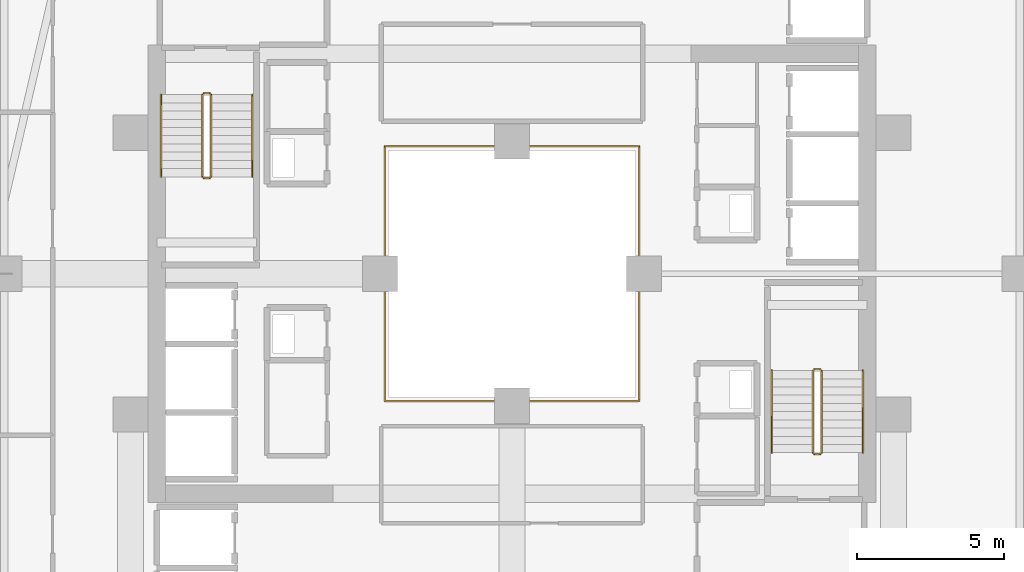
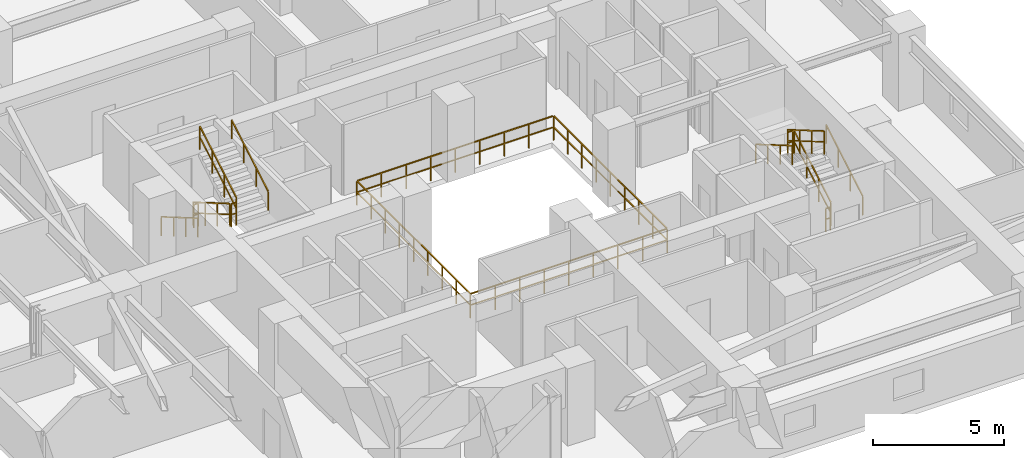
# One storey, part 35 of 36: 13 railings.
"""IFC4 building model written with IfcOpenShell, lengths in metres."""

from ifc_helpers import new_model, si_unit, direction, frame, origin, origin_2d, place, context, subcontext, project, spatial, rectangle, extrude, material, type_object, element, save


model = new_model("IFC4")

# Units and contexts
model_context = context("Model", 3, precision=1e-05, world=origin(), true_north=direction((0.0, 1.0)))
body_context = subcontext(model_context, "Body", "Model", "MODEL_VIEW")
ifc_project = project(units=[si_unit("LENGTHUNIT", "METRE"), si_unit("AREAUNIT", "SQUARE_METRE"), si_unit("VOLUMEUNIT", "CUBIC_METRE"), si_unit("PLANEANGLEUNIT", "RADIAN"), si_unit("MASSUNIT", "GRAM", prefix="KILO")], contexts=[model_context])

# Site, building, storey
site_placement = place(None, origin())
site = spatial("IfcSite", under=ifc_project, at=site_placement, CompositionType="ELEMENT")
building_placement = place(site_placement, origin())
building = spatial("IfcBuilding", under=site, at=building_placement, Name="Thornwick Lancets Civic Towers", CompositionType="ELEMENT")
storey_placement = place(building_placement, frame((0.0, 0.0, 94.5)))
storey = spatial("IfcBuildingStorey", under=building, at=storey_placement, Name="L24", CompositionType="ELEMENT", Elevation=94.5)

# Railings
ifc_material_1 = material(Name="Laminated glass and bronze steel S355", Category="steel")
railing_type_1 = type_object("IfcRailingType", Name="RAIL_ATRIUM_GUARD", PredefinedType="BALUSTRADE", material=ifc_material_1)
railing_1_placement = place(storey_placement, frame((84.159912109375, 22.659912109375, 0.0)))
element("IfcRailing", 1, at=railing_1_placement, inside=storey, type_object=railing_type_1, Name="L24 Tower B Central Atrium Guard Balustrade", PredefinedType="BALUSTRADE", context=body_context, shape_type="SweptSolid", body=[
    extrude(rectangle(XDim=0.048095703125, YDim=0.048095703125, at=origin_2d()), frame((0.0, 0.0, 1.1259765625), z_axis=(1.0, 0.0, 0.0), x_axis=(0.0, 1.0, 0.0)), (0.0, 0.0, 1.0), 8.64892578125),
    extrude(rectangle(XDim=0.0419921875, YDim=0.0419921875, at=origin_2d()), frame((0.03759765625, 0.0, 0.597900390625), z_axis=(1.0, 0.0, 0.0), x_axis=(0.0, 1.0, 0.0)), (0.0, 0.0, 1.0), 1.010009765625),
    extrude(rectangle(XDim=0.0419921875, YDim=0.0419921875, at=origin_2d()), frame((1.12255859375, 0.0, 0.597900390625), z_axis=(1.0, 0.0, 0.0), x_axis=(0.0, 1.0, 0.0)), (0.0, 0.0, 1.0), 1.010009765625),
    extrude(rectangle(XDim=0.0419921875, YDim=0.0419921875, at=origin_2d()), frame((2.20751953125, 0.0, 0.597900390625), z_axis=(1.0, 0.0, 0.0), x_axis=(0.0, 1.0, 0.0)), (0.0, 0.0, 1.0), 1.010009765625),
    extrude(rectangle(XDim=0.0419921875, YDim=0.0419921875, at=origin_2d()), frame((3.29248046875, 0.0, 0.597900390625), z_axis=(1.0, 0.0, 0.0), x_axis=(0.0, 1.0, 0.0)), (0.0, 0.0, 1.0), 1.010009765625),
    extrude(rectangle(XDim=0.0419921875, YDim=0.0419921875, at=origin_2d()), frame((4.377685546875, 0.0, 0.597900390625), z_axis=(1.0, 0.0, 0.0), x_axis=(0.0, 1.0, 0.0)), (0.0, 0.0, 1.0), 1.010009765625),
    extrude(rectangle(XDim=0.0419921875, YDim=0.0419921875, at=origin_2d()), frame((5.462646484375, 0.0, 0.597900390625), z_axis=(1.0, 0.0, 0.0), x_axis=(0.0, 1.0, 0.0)), (0.0, 0.0, 1.0), 1.010009765625),
    extrude(rectangle(XDim=0.0419921875, YDim=0.0419921875, at=origin_2d()), frame((6.547607421875, 0.0, 0.597900390625), z_axis=(1.0, 0.0, 0.0), x_axis=(0.0, 1.0, 0.0)), (0.0, 0.0, 1.0), 1.010009765625),
    extrude(rectangle(XDim=0.0419921875, YDim=0.0419921875, at=origin_2d()), frame((7.632568359375, 0.0, 0.597900390625), z_axis=(1.0, 0.0, 0.0), x_axis=(0.0, 1.0, 0.0)), (0.0, 0.0, 1.0), 1.010009765625),
    extrude(rectangle(XDim=0.048095703125, YDim=0.048095703125, at=origin_2d()), frame((8.68017578125, 0.03125, 1.1259765625), z_axis=(0.0, 1.0, 0.0), x_axis=(-1.0, 0.0, 0.0)), (0.0, 0.0, 1.0), 8.61767578125),
    extrude(rectangle(XDim=0.0419921875, YDim=0.0419921875, at=origin_2d()), frame((8.68017578125, 0.03759765625, 0.597900390625), z_axis=(0.0, 1.0, 0.0), x_axis=(-1.0, 0.0, 0.0)), (0.0, 0.0, 1.0), 1.010009765625),
    extrude(rectangle(XDim=0.0419921875, YDim=0.0419921875, at=origin_2d()), frame((8.68017578125, 1.12255859375, 0.597900390625), z_axis=(0.0, 1.0, 0.0), x_axis=(-1.0, 0.0, 0.0)), (0.0, 0.0, 1.0), 1.010009765625),
    extrude(rectangle(XDim=0.0419921875, YDim=0.0419921875, at=origin_2d()), frame((8.68017578125, 2.20751953125, 0.597900390625), z_axis=(0.0, 1.0, 0.0), x_axis=(-1.0, 0.0, 0.0)), (0.0, 0.0, 1.0), 1.010009765625),
    extrude(rectangle(XDim=0.0419921875, YDim=0.0419921875, at=origin_2d()), frame((8.68017578125, 3.29248046875, 0.597900390625), z_axis=(0.0, 1.0, 0.0), x_axis=(-1.0, 0.0, 0.0)), (0.0, 0.0, 1.0), 1.010009765625),
    extrude(rectangle(XDim=0.0419921875, YDim=0.0419921875, at=origin_2d()), frame((8.68017578125, 4.377685546875, 0.597900390625), z_axis=(0.0, 1.0, 0.0), x_axis=(-1.0, 0.0, 0.0)), (0.0, 0.0, 1.0), 1.010009765625),
    extrude(rectangle(XDim=0.0419921875, YDim=0.0419921875, at=origin_2d()), frame((8.68017578125, 5.462646484375, 0.597900390625), z_axis=(0.0, 1.0, 0.0), x_axis=(-1.0, 0.0, 0.0)), (0.0, 0.0, 1.0), 1.010009765625),
    extrude(rectangle(XDim=0.0419921875, YDim=0.0419921875, at=origin_2d()), frame((8.68017578125, 6.547607421875, 0.597900390625), z_axis=(0.0, 1.0, 0.0), x_axis=(-1.0, 0.0, 0.0)), (0.0, 0.0, 1.0), 1.010009765625),
    extrude(rectangle(XDim=0.0419921875, YDim=0.0419921875, at=origin_2d()), frame((8.68017578125, 7.632568359375, 0.597900390625), z_axis=(0.0, 1.0, 0.0), x_axis=(-1.0, 0.0, 0.0)), (0.0, 0.0, 1.0), 1.010009765625),
    extrude(rectangle(XDim=0.048095703125, YDim=0.048095703125, at=origin_2d()), frame((8.64892578125, 8.68017578125, 1.1259765625), z_axis=(-1.0, 0.0, 0.0), x_axis=(0.0, -1.0, 0.0)), (0.0, 0.0, 1.0), 8.61767578125),
    extrude(rectangle(XDim=0.0419921875, YDim=0.0419921875, at=origin_2d()), frame((8.642578125, 8.68017578125, 0.597900390625), z_axis=(-1.0, 0.0, 0.0), x_axis=(0.0, -1.0, 0.0)), (0.0, 0.0, 1.0), 1.010009765625),
    extrude(rectangle(XDim=0.0419921875, YDim=0.0419921875, at=origin_2d()), frame((7.5576171875, 8.68017578125, 0.597900390625), z_axis=(-1.0, 0.0, 0.0), x_axis=(0.0, -1.0, 0.0)), (0.0, 0.0, 1.0), 1.010009765625),
    extrude(rectangle(XDim=0.0419921875, YDim=0.0419921875, at=origin_2d()), frame((6.47265625, 8.68017578125, 0.597900390625), z_axis=(-1.0, 0.0, 0.0), x_axis=(0.0, -1.0, 0.0)), (0.0, 0.0, 1.0), 1.010009765625),
    extrude(rectangle(XDim=0.0419921875, YDim=0.0419921875, at=origin_2d()), frame((5.3876953125, 8.68017578125, 0.597900390625), z_axis=(-1.0, 0.0, 0.0), x_axis=(0.0, -1.0, 0.0)), (0.0, 0.0, 1.0), 1.010009765625),
    extrude(rectangle(XDim=0.0419921875, YDim=0.0419921875, at=origin_2d()), frame((4.302490234375, 8.68017578125, 0.597900390625), z_axis=(-1.0, 0.0, 0.0), x_axis=(0.0, -1.0, 0.0)), (0.0, 0.0, 1.0), 1.010009765625),
    extrude(rectangle(XDim=0.0419921875, YDim=0.0419921875, at=origin_2d()), frame((3.217529296875, 8.68017578125, 0.597900390625), z_axis=(-1.0, 0.0, 0.0), x_axis=(0.0, -1.0, 0.0)), (0.0, 0.0, 1.0), 1.010009765625),
    extrude(rectangle(XDim=0.0419921875, YDim=0.0419921875, at=origin_2d()), frame((2.132568359375, 8.68017578125, 0.597900390625), z_axis=(-1.0, 0.0, 0.0), x_axis=(0.0, -1.0, 0.0)), (0.0, 0.0, 1.0), 1.010009765625),
    extrude(rectangle(XDim=0.0419921875, YDim=0.0419921875, at=origin_2d()), frame((1.047607421875, 8.68017578125, 0.597900390625), z_axis=(-1.0, 0.0, 0.0), x_axis=(0.0, -1.0, 0.0)), (0.0, 0.0, 1.0), 1.010009765625),
    extrude(rectangle(XDim=0.048095703125, YDim=0.048095703125, at=origin_2d()), frame((0.0, 8.64892578125, 1.1259765625), z_axis=(0.0, -1.0, 0.0), x_axis=(1.0, 0.0, 0.0)), (0.0, 0.0, 1.0), 8.64892578125),
    extrude(rectangle(XDim=0.0419921875, YDim=0.0419921875, at=origin_2d()), frame((0.0, 8.642578125, 0.597900390625), z_axis=(0.0, -1.0, 0.0), x_axis=(1.0, 0.0, 0.0)), (0.0, 0.0, 1.0), 1.010009765625),
    extrude(rectangle(XDim=0.0419921875, YDim=0.0419921875, at=origin_2d()), frame((0.0, 7.5576171875, 0.597900390625), z_axis=(0.0, -1.0, 0.0), x_axis=(1.0, 0.0, 0.0)), (0.0, 0.0, 1.0), 1.010009765625),
    extrude(rectangle(XDim=0.0419921875, YDim=0.0419921875, at=origin_2d()), frame((0.0, 6.47265625, 0.597900390625), z_axis=(0.0, -1.0, 0.0), x_axis=(1.0, 0.0, 0.0)), (0.0, 0.0, 1.0), 1.010009765625),
    extrude(rectangle(XDim=0.0419921875, YDim=0.0419921875, at=origin_2d()), frame((0.0, 5.3876953125, 0.597900390625), z_axis=(0.0, -1.0, 0.0), x_axis=(1.0, 0.0, 0.0)), (0.0, 0.0, 1.0), 1.010009765625),
    extrude(rectangle(XDim=0.0419921875, YDim=0.0419921875, at=origin_2d()), frame((0.0, 4.302490234375, 0.597900390625), z_axis=(0.0, -1.0, 0.0), x_axis=(1.0, 0.0, 0.0)), (0.0, 0.0, 1.0), 1.010009765625),
    extrude(rectangle(XDim=0.0419921875, YDim=0.0419921875, at=origin_2d()), frame((0.0, 3.217529296875, 0.597900390625), z_axis=(0.0, -1.0, 0.0), x_axis=(1.0, 0.0, 0.0)), (0.0, 0.0, 1.0), 1.010009765625),
    extrude(rectangle(XDim=0.0419921875, YDim=0.0419921875, at=origin_2d()), frame((0.0, 2.132568359375, 0.597900390625), z_axis=(0.0, -1.0, 0.0), x_axis=(1.0, 0.0, 0.0)), (0.0, 0.0, 1.0), 1.010009765625),
    extrude(rectangle(XDim=0.0419921875, YDim=0.0419921875, at=origin_2d()), frame((0.0, 1.047607421875, 0.597900390625), z_axis=(0.0, -1.0, 0.0), x_axis=(1.0, 0.0, 0.0)), (0.0, 0.0, 1.0), 1.010009765625),
    extrude(rectangle(XDim=0.0419921875, YDim=0.0419921875, at=origin_2d()), origin(), (0.0, 0.0, 1.0), 1.095703125),
    extrude(rectangle(XDim=0.0419921875, YDim=0.0419921875, at=origin_2d()), frame((1.0849609375, 0.0, 0.0)), (0.0, 0.0, 1.0), 1.095703125),
    extrude(rectangle(XDim=0.0419921875, YDim=0.0419921875, at=origin_2d()), frame((2.169921875, 0.0, 0.0)), (0.0, 0.0, 1.0), 1.095703125),
    extrude(rectangle(XDim=0.0419921875, YDim=0.0419921875, at=origin_2d()), frame((3.255126953125, 0.0, 0.0)), (0.0, 0.0, 1.0), 1.095703125),
    extrude(rectangle(XDim=0.0419921875, YDim=0.0419921875, at=origin_2d()), frame((4.340087890625, 0.0, 0.0)), (0.0, 0.0, 1.0), 1.095703125),
    extrude(rectangle(XDim=0.0419921875, YDim=0.0419921875, at=origin_2d()), frame((5.425048828125, 0.0, 0.0)), (0.0, 0.0, 1.0), 1.095703125),
    extrude(rectangle(XDim=0.0419921875, YDim=0.0419921875, at=origin_2d()), frame((6.51025390625, 0.0, 0.0)), (0.0, 0.0, 1.0), 1.095703125),
    extrude(rectangle(XDim=0.0419921875, YDim=0.0419921875, at=origin_2d()), frame((7.59521484375, 0.0, 0.0)), (0.0, 0.0, 1.0), 1.095703125),
    extrude(rectangle(XDim=0.0419921875, YDim=0.0419921875, at=origin_2d()), frame((8.68017578125, 0.0, 0.0)), (0.0, 0.0, 1.0), 1.095703125),
    extrude(rectangle(XDim=0.0419921875, YDim=0.0419921875, at=origin_2d()), frame((8.68017578125, 1.0849609375, 0.0)), (0.0, 0.0, 1.0), 1.095703125),
    extrude(rectangle(XDim=0.0419921875, YDim=0.0419921875, at=origin_2d()), frame((8.68017578125, 2.169921875, 0.0)), (0.0, 0.0, 1.0), 1.095703125),
    extrude(rectangle(XDim=0.0419921875, YDim=0.0419921875, at=origin_2d()), frame((8.68017578125, 3.255126953125, 0.0)), (0.0, 0.0, 1.0), 1.095703125),
    extrude(rectangle(XDim=0.0419921875, YDim=0.0419921875, at=origin_2d()), frame((8.68017578125, 4.340087890625, 0.0)), (0.0, 0.0, 1.0), 1.095703125),
    extrude(rectangle(XDim=0.0419921875, YDim=0.0419921875, at=origin_2d()), frame((8.68017578125, 5.425048828125, 0.0)), (0.0, 0.0, 1.0), 1.095703125),
    extrude(rectangle(XDim=0.0419921875, YDim=0.0419921875, at=origin_2d()), frame((8.68017578125, 6.51025390625, 0.0)), (0.0, 0.0, 1.0), 1.095703125),
    extrude(rectangle(XDim=0.0419921875, YDim=0.0419921875, at=origin_2d()), frame((8.68017578125, 7.59521484375, 0.0)), (0.0, 0.0, 1.0), 1.095703125),
    extrude(rectangle(XDim=0.0419921875, YDim=0.0419921875, at=origin_2d()), frame((8.68017578125, 8.68017578125, 0.0)), (0.0, 0.0, 1.0), 1.095703125),
    extrude(rectangle(XDim=0.0419921875, YDim=0.0419921875, at=origin_2d()), frame((7.59521484375, 8.68017578125, 0.0)), (0.0, 0.0, 1.0), 1.095703125),
    extrude(rectangle(XDim=0.0419921875, YDim=0.0419921875, at=origin_2d()), frame((6.51025390625, 8.68017578125, 0.0)), (0.0, 0.0, 1.0), 1.095703125),
    extrude(rectangle(XDim=0.0419921875, YDim=0.0419921875, at=origin_2d()), frame((5.425048828125, 8.68017578125, 0.0)), (0.0, 0.0, 1.0), 1.095703125),
    extrude(rectangle(XDim=0.0419921875, YDim=0.0419921875, at=origin_2d()), frame((4.340087890625, 8.68017578125, 0.0)), (0.0, 0.0, 1.0), 1.095703125),
    extrude(rectangle(XDim=0.0419921875, YDim=0.0419921875, at=origin_2d()), frame((3.255126953125, 8.68017578125, 0.0)), (0.0, 0.0, 1.0), 1.095703125),
    extrude(rectangle(XDim=0.0419921875, YDim=0.0419921875, at=origin_2d()), frame((2.169921875, 8.68017578125, 0.0)), (0.0, 0.0, 1.0), 1.095703125),
    extrude(rectangle(XDim=0.0419921875, YDim=0.0419921875, at=origin_2d()), frame((1.0849609375, 8.68017578125, 0.0)), (0.0, 0.0, 1.0), 1.095703125),
    extrude(rectangle(XDim=0.0419921875, YDim=0.0419921875, at=origin_2d()), frame((0.0, 8.68017578125, 0.0)), (0.0, 0.0, 1.0), 1.095703125),
    extrude(rectangle(XDim=0.0419921875, YDim=0.0419921875, at=origin_2d()), frame((0.0, 7.59521484375, 0.0)), (0.0, 0.0, 1.0), 1.095703125),
    extrude(rectangle(XDim=0.0419921875, YDim=0.0419921875, at=origin_2d()), frame((0.0, 6.51025390625, 0.0)), (0.0, 0.0, 1.0), 1.095703125),
    extrude(rectangle(XDim=0.0419921875, YDim=0.0419921875, at=origin_2d()), frame((0.0, 5.425048828125, 0.0)), (0.0, 0.0, 1.0), 1.095703125),
    extrude(rectangle(XDim=0.0419921875, YDim=0.0419921875, at=origin_2d()), frame((0.0, 4.340087890625, 0.0)), (0.0, 0.0, 1.0), 1.095703125),
    extrude(rectangle(XDim=0.0419921875, YDim=0.0419921875, at=origin_2d()), frame((0.0, 3.255126953125, 0.0)), (0.0, 0.0, 1.0), 1.095703125),
    extrude(rectangle(XDim=0.0419921875, YDim=0.0419921875, at=origin_2d()), frame((0.0, 2.169921875, 0.0)), (0.0, 0.0, 1.0), 1.095703125),
    extrude(rectangle(XDim=0.0419921875, YDim=0.0419921875, at=origin_2d()), frame((0.0, 1.0849609375, 0.0)), (0.0, 0.0, 1.0), 1.095703125),
])
ifc_material_2 = material(Name="Brushed stainless steel S355", Category="steel")
railing_type_2 = type_object("IfcRailingType", Name="RAIL_HANDRAIL", PredefinedType="HANDRAIL", material=ifc_material_2)
railing_2_placement = place(storey_placement, frame((100.449951171875, 20.89990234375, 0.16357421875)))
element("IfcRailing", 2, at=railing_2_placement, inside=storey, type_object=railing_type_2, Name="L24 ST-B1 stair handrail 1", PredefinedType="HANDRAIL", context=body_context, shape_type="SweptSolid", body=[
    extrude(rectangle(XDim=0.048095703125, YDim=0.048095703125, at=origin_2d()), frame((0.0, 0.0, 0.8857421875), z_axis=(0.0, 0.863360870873, 0.504586966384), x_axis=(-1.0, 0.0, 0.0)), (0.0, 0.0, 1.0), 3.2431640625),
    extrude(rectangle(XDim=0.0419921875, YDim=0.0419921875, at=origin_2d()), origin(), (0.0, 0.0, 1.0), 0.855712890625),
    extrude(rectangle(XDim=0.0419921875, YDim=0.0419921875, at=origin_2d()), frame((0.0, 0.933349609375, 0.54541015625)), (0.0, 0.0, 1.0), 0.855712890625),
    extrude(rectangle(XDim=0.0419921875, YDim=0.0419921875, at=origin_2d()), frame((0.0, 1.86669921875, 1.091064453125)), (0.0, 0.0, 1.0), 0.855712890625),
    extrude(rectangle(XDim=0.0419921875, YDim=0.0419921875, at=origin_2d()), frame((0.0, 2.800048828125, 1.636474609375)), (0.0, 0.0, 1.0), 0.855712890625),
])
for number, where, name in (
    (3, (97.35009765625, 23.699951171875, 1.963623046875), "L24 ST-B1 stair handrail 2"),
    (4, (76.550048828125, 33.10009765625, 0.16357421875), "L24 ST-B2 stair handrail 1"),
):
    element("IfcRailing", number, at=place(storey_placement, frame(where)), inside=storey, type_object=railing_type_2, Name=name, PredefinedType="HANDRAIL", context=body_context, shape_type="SweptSolid", body=[
        extrude(rectangle(XDim=0.048095703125, YDim=0.048095703125, at=origin_2d()), frame((0.0, 0.0, 0.8857421875), z_axis=(0.0, -0.863360870873, 0.504586966384), x_axis=(1.0, 0.0, 0.0)), (0.0, 0.0, 1.0), 3.2431640625),
        extrude(rectangle(XDim=0.0419921875, YDim=0.0419921875, at=origin_2d()), origin(), (0.0, 0.0, 1.0), 0.855712890625),
        extrude(rectangle(XDim=0.0419921875, YDim=0.0419921875, at=origin_2d()), frame((0.0, -0.933349609375, 0.54541015625)), (0.0, 0.0, 1.0), 0.855712890625),
        extrude(rectangle(XDim=0.0419921875, YDim=0.0419921875, at=origin_2d()), frame((0.0, -1.86669921875, 1.091064453125)), (0.0, 0.0, 1.0), 0.855712890625),
        extrude(rectangle(XDim=0.0419921875, YDim=0.0419921875, at=origin_2d()), frame((0.0, -2.800048828125, 1.636474609375)), (0.0, 0.0, 1.0), 0.855712890625),
    ])
railing_3_placement = place(storey_placement, frame((79.64990234375, 30.300048828125, 1.963623046875)))
element("IfcRailing", 5, at=railing_3_placement, inside=storey, type_object=railing_type_2, Name="L24 ST-B2 stair handrail 2", PredefinedType="HANDRAIL", context=body_context, shape_type="SweptSolid", body=[
    extrude(rectangle(XDim=0.048095703125, YDim=0.048095703125, at=origin_2d()), frame((0.0, 0.0, 0.8857421875), z_axis=(0.0, 0.863360870873, 0.504586966384), x_axis=(-1.0, 0.0, 0.0)), (0.0, 0.0, 1.0), 3.2431640625),
    extrude(rectangle(XDim=0.0419921875, YDim=0.0419921875, at=origin_2d()), origin(), (0.0, 0.0, 1.0), 0.855712890625),
    extrude(rectangle(XDim=0.0419921875, YDim=0.0419921875, at=origin_2d()), frame((0.0, 0.933349609375, 0.54541015625)), (0.0, 0.0, 1.0), 0.855712890625),
    extrude(rectangle(XDim=0.0419921875, YDim=0.0419921875, at=origin_2d()), frame((0.0, 1.86669921875, 1.091064453125)), (0.0, 0.0, 1.0), 0.855712890625),
    extrude(rectangle(XDim=0.0419921875, YDim=0.0419921875, at=origin_2d()), frame((0.0, 2.800048828125, 1.636474609375)), (0.0, 0.0, 1.0), 0.855712890625),
])
ifc_material_3 = material(Name="Steel S355JR", Category="steel")
railing_type_3 = type_object("IfcRailingType", Name="RAIL_STAIR_GUARD", PredefinedType="GUARDRAIL", material=ifc_material_3)
railing_4_placement = place(storey_placement, frame((99.050048828125, 20.89990234375, 0.16357421875)))
element("IfcRailing", 6, at=railing_4_placement, inside=storey, type_object=railing_type_3, Name="L24 ST-B1 stair guard 1", PredefinedType="GUARDRAIL", context=body_context, shape_type="SweptSolid", body=[
    extrude(rectangle(XDim=0.048095703125, YDim=0.048095703125, at=origin_2d()), frame((0.0, 0.0, 1.076171875), z_axis=(0.0, 0.863360870873, 0.504586966384), x_axis=(-1.0, 0.0, 0.0)), (0.0, 0.0, 1.0), 3.2431640625),
    extrude(rectangle(XDim=0.0419921875, YDim=0.0419921875, at=origin_2d()), frame((0.0, 0.032470703125, 0.591064453125), z_axis=(0.0, 0.863360870873, 0.504586966384), x_axis=(-1.0, 0.0, 0.0)), (0.0, 0.0, 1.0), 1.006103515625),
    extrude(rectangle(XDim=0.0419921875, YDim=0.0419921875, at=origin_2d()), frame((0.0, 0.9658203125, 1.136474609375), z_axis=(0.0, 0.863360870873, 0.504586966384), x_axis=(-1.0, 0.0, 0.0)), (0.0, 0.0, 1.0), 1.006103515625),
    extrude(rectangle(XDim=0.0419921875, YDim=0.0419921875, at=origin_2d()), frame((0.0, 1.899169921875, 1.681884765625), z_axis=(0.0, 0.863360870873, 0.504586966384), x_axis=(-1.0, 0.0, 0.0)), (0.0, 0.0, 1.0), 1.006103515625),
    extrude(rectangle(XDim=0.0419921875, YDim=0.0419921875, at=origin_2d()), origin(), (0.0, 0.0, 1.0), 1.0458984375),
    extrude(rectangle(XDim=0.0419921875, YDim=0.0419921875, at=origin_2d()), frame((0.0, 0.933349609375, 0.54541015625)), (0.0, 0.0, 1.0), 1.0458984375),
    extrude(rectangle(XDim=0.0419921875, YDim=0.0419921875, at=origin_2d()), frame((0.0, 1.86669921875, 1.091064453125)), (0.0, 0.0, 1.0), 1.0458984375),
    extrude(rectangle(XDim=0.0419921875, YDim=0.0419921875, at=origin_2d()), frame((0.0, 2.800048828125, 1.636474609375)), (0.0, 0.0, 1.0), 1.0458984375),
])
railing_5_placement = place(storey_placement, frame((99.0, 23.75, 1.800048828125)))
element("IfcRailing", 7, at=railing_5_placement, inside=storey, type_object=railing_type_3, Name="L24 ST-B1 stair guard 2", PredefinedType="GUARDRAIL", context=body_context, shape_type="SweptSolid", body=[
    extrude(rectangle(XDim=0.048095703125, YDim=0.048095703125, at=origin_2d()), frame((0.0, 0.0, 1.076171875), z_axis=(-1.0, 0.0, 0.0), x_axis=(0.0, -1.0, 0.0)), (0.0, 0.0, 1.0), 0.199951171875),
    extrude(rectangle(XDim=0.0419921875, YDim=0.0419921875, at=origin_2d()), frame((-0.03759765625, 0.0, 0.572021484375), z_axis=(-1.0, 0.0, 0.0), x_axis=(0.0, -1.0, 0.0)), (0.0, 0.0, 1.0), 0.125),
    extrude(rectangle(XDim=0.0419921875, YDim=0.0419921875, at=origin_2d()), origin(), (0.0, 0.0, 1.0), 1.0458984375),
    extrude(rectangle(XDim=0.0419921875, YDim=0.0419921875, at=origin_2d()), frame((-0.199951171875, 0.0, 0.0)), (0.0, 0.0, 1.0), 1.0458984375),
])
railing_6_placement = place(storey_placement, frame((98.75, 23.699951171875, 1.963623046875)))
element("IfcRailing", 8, at=railing_6_placement, inside=storey, type_object=railing_type_3, Name="L24 ST-B1 stair guard 3", PredefinedType="GUARDRAIL", context=body_context, shape_type="SweptSolid", body=[
    extrude(rectangle(XDim=0.048095703125, YDim=0.048095703125, at=origin_2d()), frame((0.0, 0.0, 1.076171875), z_axis=(0.0, -0.863360870873, 0.504586966384), x_axis=(1.0, 0.0, 0.0)), (0.0, 0.0, 1.0), 3.2431640625),
    extrude(rectangle(XDim=0.0419921875, YDim=0.0419921875, at=origin_2d()), frame((0.0, -0.032470703125, 0.591064453125), z_axis=(0.0, -0.863360870873, 0.504586966384), x_axis=(1.0, 0.0, 0.0)), (0.0, 0.0, 1.0), 1.006103515625),
    extrude(rectangle(XDim=0.0419921875, YDim=0.0419921875, at=origin_2d()), frame((0.0, -0.9658203125, 1.136474609375), z_axis=(0.0, -0.863360870873, 0.504586966384), x_axis=(1.0, 0.0, 0.0)), (0.0, 0.0, 1.0), 1.006103515625),
    extrude(rectangle(XDim=0.0419921875, YDim=0.0419921875, at=origin_2d()), frame((0.0, -1.899169921875, 1.681884765625), z_axis=(0.0, -0.863360870873, 0.504586966384), x_axis=(1.0, 0.0, 0.0)), (0.0, 0.0, 1.0), 1.006103515625),
    extrude(rectangle(XDim=0.0419921875, YDim=0.0419921875, at=origin_2d()), origin(), (0.0, 0.0, 1.0), 1.0458984375),
    extrude(rectangle(XDim=0.0419921875, YDim=0.0419921875, at=origin_2d()), frame((0.0, -0.933349609375, 0.54541015625)), (0.0, 0.0, 1.0), 1.0458984375),
    extrude(rectangle(XDim=0.0419921875, YDim=0.0419921875, at=origin_2d()), frame((0.0, -1.86669921875, 1.091064453125)), (0.0, 0.0, 1.0), 1.0458984375),
    extrude(rectangle(XDim=0.0419921875, YDim=0.0419921875, at=origin_2d()), frame((0.0, -2.800048828125, 1.636474609375)), (0.0, 0.0, 1.0), 1.0458984375),
])
railing_7_placement = place(storey_placement, frame((99.0, 20.85009765625, 0.0)))
element("IfcRailing", 9, at=railing_7_placement, inside=storey, type_object=railing_type_3, Name="L24 ST-B1 stair guard 4", PredefinedType="GUARDRAIL", context=body_context, shape_type="SweptSolid", body=[
    extrude(rectangle(XDim=0.048095703125, YDim=0.048095703125, at=origin_2d()), frame((0.0, 0.0, 1.076171875), z_axis=(-1.0, 0.0, 0.0), x_axis=(0.0, -1.0, 0.0)), (0.0, 0.0, 1.0), 0.199951171875),
    extrude(rectangle(XDim=0.0419921875, YDim=0.0419921875, at=origin_2d()), frame((-0.03759765625, 0.0, 0.572021484375), z_axis=(-1.0, 0.0, 0.0), x_axis=(0.0, -1.0, 0.0)), (0.0, 0.0, 1.0), 0.125),
    extrude(rectangle(XDim=0.0419921875, YDim=0.0419921875, at=origin_2d()), origin(), (0.0, 0.0, 1.0), 1.0458984375),
    extrude(rectangle(XDim=0.0419921875, YDim=0.0419921875, at=origin_2d()), frame((-0.199951171875, 0.0, 0.0)), (0.0, 0.0, 1.0), 1.0458984375),
])
railing_8_placement = place(storey_placement, frame((77.949951171875, 33.10009765625, 0.16357421875)))
element("IfcRailing", 10, at=railing_8_placement, inside=storey, type_object=railing_type_3, Name="L24 ST-B2 stair guard 1", PredefinedType="GUARDRAIL", context=body_context, shape_type="SweptSolid", body=[
    extrude(rectangle(XDim=0.048095703125, YDim=0.048095703125, at=origin_2d()), frame((0.0, 0.0, 1.076171875), z_axis=(0.0, -0.863360870873, 0.504586966384), x_axis=(1.0, 0.0, 0.0)), (0.0, 0.0, 1.0), 3.2431640625),
    extrude(rectangle(XDim=0.0419921875, YDim=0.0419921875, at=origin_2d()), frame((0.0, -0.032470703125, 0.591064453125), z_axis=(0.0, -0.863360870873, 0.504586966384), x_axis=(1.0, 0.0, 0.0)), (0.0, 0.0, 1.0), 1.006103515625),
    extrude(rectangle(XDim=0.0419921875, YDim=0.0419921875, at=origin_2d()), frame((0.0, -0.9658203125, 1.136474609375), z_axis=(0.0, -0.863360870873, 0.504586966384), x_axis=(1.0, 0.0, 0.0)), (0.0, 0.0, 1.0), 1.006103515625),
    extrude(rectangle(XDim=0.0419921875, YDim=0.0419921875, at=origin_2d()), frame((0.0, -1.899169921875, 1.681884765625), z_axis=(0.0, -0.863360870873, 0.504586966384), x_axis=(1.0, 0.0, 0.0)), (0.0, 0.0, 1.0), 1.006103515625),
    extrude(rectangle(XDim=0.0419921875, YDim=0.0419921875, at=origin_2d()), origin(), (0.0, 0.0, 1.0), 1.0458984375),
    extrude(rectangle(XDim=0.0419921875, YDim=0.0419921875, at=origin_2d()), frame((0.0, -0.933349609375, 0.54541015625)), (0.0, 0.0, 1.0), 1.0458984375),
    extrude(rectangle(XDim=0.0419921875, YDim=0.0419921875, at=origin_2d()), frame((0.0, -1.86669921875, 1.091064453125)), (0.0, 0.0, 1.0), 1.0458984375),
    extrude(rectangle(XDim=0.0419921875, YDim=0.0419921875, at=origin_2d()), frame((0.0, -2.800048828125, 1.636474609375)), (0.0, 0.0, 1.0), 1.0458984375),
])
railing_9_placement = place(storey_placement, frame((78.0, 30.25, 1.800048828125)))
element("IfcRailing", 11, at=railing_9_placement, inside=storey, type_object=railing_type_3, Name="L24 ST-B2 stair guard 2", PredefinedType="GUARDRAIL", context=body_context, shape_type="SweptSolid", body=[
    extrude(rectangle(XDim=0.048095703125, YDim=0.048095703125, at=origin_2d()), frame((0.0, 0.0, 1.076171875), z_axis=(1.0, 0.0, 0.0), x_axis=(0.0, 1.0, 0.0)), (0.0, 0.0, 1.0), 0.199951171875),
    extrude(rectangle(XDim=0.0419921875, YDim=0.0419921875, at=origin_2d()), frame((0.03759765625, 0.0, 0.572021484375), z_axis=(1.0, 0.0, 0.0), x_axis=(0.0, 1.0, 0.0)), (0.0, 0.0, 1.0), 0.125),
    extrude(rectangle(XDim=0.0419921875, YDim=0.0419921875, at=origin_2d()), origin(), (0.0, 0.0, 1.0), 1.0458984375),
    extrude(rectangle(XDim=0.0419921875, YDim=0.0419921875, at=origin_2d()), frame((0.199951171875, 0.0, 0.0)), (0.0, 0.0, 1.0), 1.0458984375),
])
railing_10_placement = place(storey_placement, frame((78.25, 30.300048828125, 1.963623046875)))
element("IfcRailing", 12, at=railing_10_placement, inside=storey, type_object=railing_type_3, Name="L24 ST-B2 stair guard 3", PredefinedType="GUARDRAIL", context=body_context, shape_type="SweptSolid", body=[
    extrude(rectangle(XDim=0.048095703125, YDim=0.048095703125, at=origin_2d()), frame((0.0, 0.0, 1.076171875), z_axis=(0.0, 0.863360870873, 0.504586966384), x_axis=(-1.0, 0.0, 0.0)), (0.0, 0.0, 1.0), 3.2431640625),
    extrude(rectangle(XDim=0.0419921875, YDim=0.0419921875, at=origin_2d()), frame((0.0, 0.032470703125, 0.591064453125), z_axis=(0.0, 0.863360870873, 0.504586966384), x_axis=(-1.0, 0.0, 0.0)), (0.0, 0.0, 1.0), 1.006103515625),
    extrude(rectangle(XDim=0.0419921875, YDim=0.0419921875, at=origin_2d()), frame((0.0, 0.9658203125, 1.136474609375), z_axis=(0.0, 0.863360870873, 0.504586966384), x_axis=(-1.0, 0.0, 0.0)), (0.0, 0.0, 1.0), 1.006103515625),
    extrude(rectangle(XDim=0.0419921875, YDim=0.0419921875, at=origin_2d()), frame((0.0, 1.899169921875, 1.681884765625), z_axis=(0.0, 0.863360870873, 0.504586966384), x_axis=(-1.0, 0.0, 0.0)), (0.0, 0.0, 1.0), 1.006103515625),
    extrude(rectangle(XDim=0.0419921875, YDim=0.0419921875, at=origin_2d()), origin(), (0.0, 0.0, 1.0), 1.0458984375),
    extrude(rectangle(XDim=0.0419921875, YDim=0.0419921875, at=origin_2d()), frame((0.0, 0.933349609375, 0.54541015625)), (0.0, 0.0, 1.0), 1.0458984375),
    extrude(rectangle(XDim=0.0419921875, YDim=0.0419921875, at=origin_2d()), frame((0.0, 1.86669921875, 1.091064453125)), (0.0, 0.0, 1.0), 1.0458984375),
    extrude(rectangle(XDim=0.0419921875, YDim=0.0419921875, at=origin_2d()), frame((0.0, 2.800048828125, 1.636474609375)), (0.0, 0.0, 1.0), 1.0458984375),
])
railing_11_placement = place(storey_placement, frame((78.0, 33.14990234375, 0.0)))
element("IfcRailing", 13, at=railing_11_placement, inside=storey, type_object=railing_type_3, Name="L24 ST-B2 stair guard 4", PredefinedType="GUARDRAIL", context=body_context, shape_type="SweptSolid", body=[
    extrude(rectangle(XDim=0.048095703125, YDim=0.048095703125, at=origin_2d()), frame((0.0, 0.0, 1.076171875), z_axis=(1.0, 0.0, 0.0), x_axis=(0.0, 1.0, 0.0)), (0.0, 0.0, 1.0), 0.199951171875),
    extrude(rectangle(XDim=0.0419921875, YDim=0.0419921875, at=origin_2d()), frame((0.03759765625, 0.0, 0.572021484375), z_axis=(1.0, 0.0, 0.0), x_axis=(0.0, 1.0, 0.0)), (0.0, 0.0, 1.0), 0.125),
    extrude(rectangle(XDim=0.0419921875, YDim=0.0419921875, at=origin_2d()), origin(), (0.0, 0.0, 1.0), 1.0458984375),
    extrude(rectangle(XDim=0.0419921875, YDim=0.0419921875, at=origin_2d()), frame((0.199951171875, 0.0, 0.0)), (0.0, 0.0, 1.0), 1.0458984375),
])

save(model, "model.ifc")
